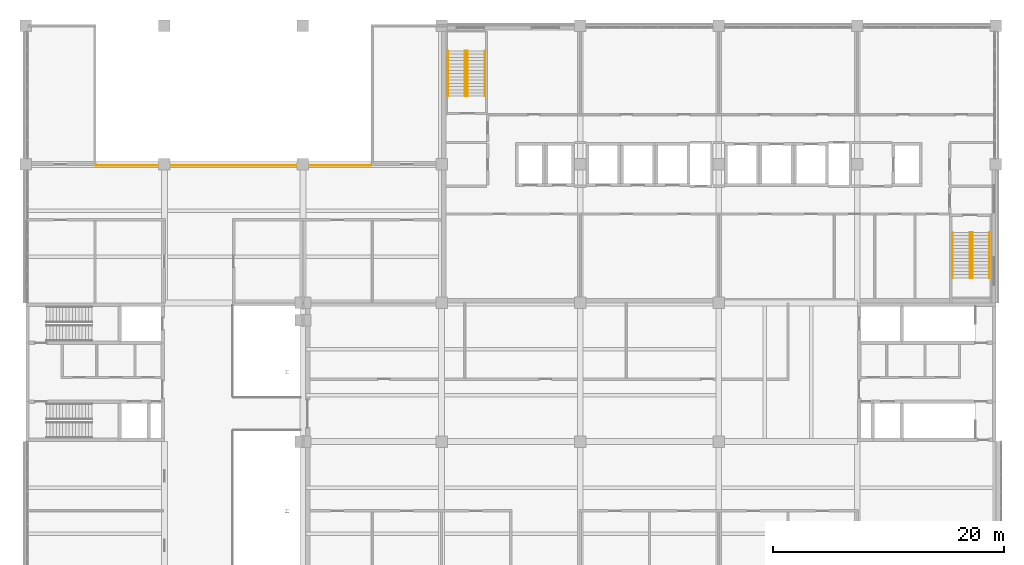
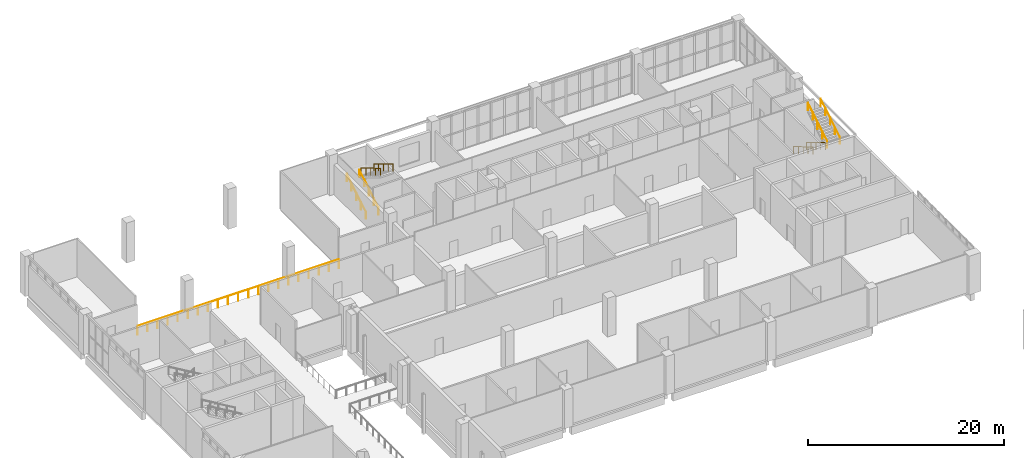
# One storey, part 69 of 69: 9 railings.
"""IFC4 building model written with IfcOpenShell, lengths in metres."""

from ifc_helpers import new_model, si_unit, direction, frame, origin, origin_2d, place, context, subcontext, project, spatial, circle, extrude, material, constituent, constituent_set, type_object, element, save


model = new_model("IFC4")

# Units and contexts
model_context = context("Model", 3, precision=1e-05, world=origin(), true_north=direction((0.0, 1.0)))
body_context = subcontext(model_context, "Body", "Model", "MODEL_VIEW")
ifc_project = project(units=[si_unit("LENGTHUNIT", "METRE"), si_unit("AREAUNIT", "SQUARE_METRE"), si_unit("VOLUMEUNIT", "CUBIC_METRE"), si_unit("PLANEANGLEUNIT", "RADIAN"), si_unit("MASSUNIT", "GRAM", prefix="KILO")], contexts=[model_context])

# Site, building, storey
site_placement = place(None, origin())
site = spatial("IfcSite", under=ifc_project, at=site_placement, CompositionType="ELEMENT")
building_placement = place(site_placement, origin())
building = spatial("IfcBuilding", under=site, at=building_placement, Name="Lilac Gate Convention Centre", CompositionType="ELEMENT")
storey_placement = place(building_placement, frame((0.0, 0.0, 12.0)))
storey = spatial("IfcBuildingStorey", under=building, at=storey_placement, Name="L02", CompositionType="ELEMENT", Elevation=12.0)

# Railings
ifc_material_1 = material(Name="Steel Q235B", Category="steel")
ifc_constituent_1 = constituent(ifc_material_1, Name="Frame")
ifc_material_2 = material(Name="Safety glass, bonded interlayer", Category="glass")
ifc_constituent_2 = constituent(ifc_material_2, Name="Infill")
ifc_constituent_set = constituent_set(constituents=[ifc_constituent_1, ifc_constituent_2], Name="Steel Q235B, Safety glass, bonded interlayer")
railing_type_1 = type_object("IfcRailingType", Name="Guard 1100 steel and glass", PredefinedType="GUARDRAIL", material=ifc_constituent_set)
railing_placement = place(storey_placement, frame((12.10009765625, 233.89990234375, 0.0)))
element("IfcRailing", 1, at=railing_placement, inside=storey, type_object=railing_type_1, Name="Gallery guard L02", PredefinedType="GUARDRAIL", context=body_context, shape_type="SweptSolid", body=[
    extrude(circle(Radius=0.02392578125, at=origin_2d()), frame((0.0, 0.0, 1.076171875), z_axis=(1.0, 0.0, 0.0), x_axis=(0.0, 1.0, 0.0)), (0.0, 0.0, 1.0), 23.7998046875),
    extrude(circle(Radius=0.02099609375, at=origin_2d()), origin(), (0.0, 0.0, 1.0), 1.052001953125),
    extrude(circle(Radius=0.02099609375, at=origin_2d()), frame((1.18994140625, 0.0, 0.0)), (0.0, 0.0, 1.0), 1.052001953125),
    extrude(circle(Radius=0.02099609375, at=origin_2d()), frame((2.3798828125, 0.0, 0.0)), (0.0, 0.0, 1.0), 1.052001953125),
    extrude(circle(Radius=0.02099609375, at=origin_2d()), frame((3.570068359375, 0.0, 0.0)), (0.0, 0.0, 1.0), 1.052001953125),
    extrude(circle(Radius=0.02099609375, at=origin_2d()), frame((4.760009765625, 0.0, 0.0)), (0.0, 0.0, 1.0), 1.052001953125),
    extrude(circle(Radius=0.02099609375, at=origin_2d()), frame((5.949951171875, 0.0, 0.0)), (0.0, 0.0, 1.0), 1.052001953125),
    extrude(circle(Radius=0.02099609375, at=origin_2d()), frame((7.139892578125, 0.0, 0.0)), (0.0, 0.0, 1.0), 1.052001953125),
    extrude(circle(Radius=0.02099609375, at=origin_2d()), frame((8.329833984375, 0.0, 0.0)), (0.0, 0.0, 1.0), 1.052001953125),
    extrude(circle(Radius=0.02099609375, at=origin_2d()), frame((9.52001953125, 0.0, 0.0)), (0.0, 0.0, 1.0), 1.052001953125),
    extrude(circle(Radius=0.02099609375, at=origin_2d()), frame((10.7099609375, 0.0, 0.0)), (0.0, 0.0, 1.0), 1.052001953125),
    extrude(circle(Radius=0.02099609375, at=origin_2d()), frame((11.89990234375, 0.0, 0.0)), (0.0, 0.0, 1.0), 1.052001953125),
    extrude(circle(Radius=0.02099609375, at=origin_2d()), frame((13.08984375, 0.0, 0.0)), (0.0, 0.0, 1.0), 1.052001953125),
    extrude(circle(Radius=0.02099609375, at=origin_2d()), frame((14.27978515625, 0.0, 0.0)), (0.0, 0.0, 1.0), 1.052001953125),
    extrude(circle(Radius=0.02099609375, at=origin_2d()), frame((15.469970703125, 0.0, 0.0)), (0.0, 0.0, 1.0), 1.052001953125),
    extrude(circle(Radius=0.02099609375, at=origin_2d()), frame((16.659912109375, 0.0, 0.0)), (0.0, 0.0, 1.0), 1.052001953125),
    extrude(circle(Radius=0.02099609375, at=origin_2d()), frame((17.849853515625, 0.0, 0.0)), (0.0, 0.0, 1.0), 1.052001953125),
    extrude(circle(Radius=0.02099609375, at=origin_2d()), frame((19.039794921875, 0.0, 0.0)), (0.0, 0.0, 1.0), 1.052001953125),
    extrude(circle(Radius=0.02099609375, at=origin_2d()), frame((20.229736328125, 0.0, 0.0)), (0.0, 0.0, 1.0), 1.052001953125),
    extrude(circle(Radius=0.02099609375, at=origin_2d()), frame((21.419921875, 0.0, 0.0)), (0.0, 0.0, 1.0), 1.052001953125),
    extrude(circle(Radius=0.02099609375, at=origin_2d()), frame((22.60986328125, 0.0, 0.0)), (0.0, 0.0, 1.0), 1.052001953125),
    extrude(circle(Radius=0.02099609375, at=origin_2d()), frame((23.7998046875, 0.0, 0.0)), (0.0, 0.0, 1.0), 1.052001953125),
])
ifc_material_3 = material(Name="Stainless steel 304", Category="steel")
railing_type_2 = type_object("IfcRailingType", Name="Stair handrail", PredefinedType="HANDRAIL", material=ifc_material_3)
for number, where, name in (
    (2, (42.550048828125, 239.89990234375, 0.166748046875), "Handrail NW L02 flight 1"),
    (3, (44.050048828125, 239.89990234375, 0.166748046875), "Handrail NW L02 flight 1"),
):
    element("IfcRailing", number, at=place(storey_placement, frame(where)), inside=storey, type_object=railing_type_2, Name=name, PredefinedType="HANDRAIL", context=body_context, shape_type="SweptSolid", body=[
        extrude(circle(Radius=0.02392578125, at=origin_2d()), frame((0.0, 0.0, 0.8759765625), z_axis=(0.0, 0.859310244771, 0.511454693235), x_axis=(-1.0, 0.0, 0.0)), (0.0, 0.0, 1.0), 4.56201171875),
        extrude(circle(Radius=0.02099609375, at=origin_2d()), origin(), (0.0, 0.0, 1.0), 0.851806640625),
        extrude(circle(Radius=0.02099609375, at=origin_2d()), frame((0.0, 0.97998046875, 0.583251953125)), (0.0, 0.0, 1.0), 0.851806640625),
        extrude(circle(Radius=0.02099609375, at=origin_2d()), frame((0.0, 1.9599609375, 1.16650390625)), (0.0, 0.0, 1.0), 0.851806640625),
        extrude(circle(Radius=0.02099609375, at=origin_2d()), frame((0.0, 2.940185546875, 1.75)), (0.0, 0.0, 1.0), 0.851806640625),
        extrude(circle(Radius=0.02099609375, at=origin_2d()), frame((0.0, 3.920166015625, 2.333251953125)), (0.0, 0.0, 1.0), 0.851806640625),
    ])
for number, where, name in (
    (4, (45.75, 243.820068359375, 2.666748046875), "Handrail NW L02 flight 2"),
    (5, (44.25, 243.820068359375, 2.666748046875), "Handrail NW L02 flight 2"),
    (6, (87.75, 228.10009765625, 0.166748046875), "Handrail SE L02 flight 1"),
    (7, (86.25, 228.10009765625, 0.166748046875), "Handrail SE L02 flight 1"),
):
    element("IfcRailing", number, at=place(storey_placement, frame(where)), inside=storey, type_object=railing_type_2, Name=name, PredefinedType="HANDRAIL", context=body_context, shape_type="SweptSolid", body=[
        extrude(circle(Radius=0.02392578125, at=origin_2d()), frame((0.0, 0.0, 0.8759765625), z_axis=(0.0, -0.859310244771, 0.511454693235), x_axis=(1.0, 0.0, 0.0)), (0.0, 0.0, 1.0), 4.56201171875),
        extrude(circle(Radius=0.02099609375, at=origin_2d()), origin(), (0.0, 0.0, 1.0), 0.851806640625),
        extrude(circle(Radius=0.02099609375, at=origin_2d()), frame((0.0, -0.97998046875, 0.583251953125)), (0.0, 0.0, 1.0), 0.851806640625),
        extrude(circle(Radius=0.02099609375, at=origin_2d()), frame((0.0, -1.9599609375, 1.16650390625)), (0.0, 0.0, 1.0), 0.851806640625),
        extrude(circle(Radius=0.02099609375, at=origin_2d()), frame((0.0, -2.940185546875, 1.75)), (0.0, 0.0, 1.0), 0.851806640625),
        extrude(circle(Radius=0.02099609375, at=origin_2d()), frame((0.0, -3.920166015625, 2.333251953125)), (0.0, 0.0, 1.0), 0.851806640625),
    ])
for number, where, name in (
    (8, (87.949951171875, 224.179931640625, 2.666748046875), "Handrail SE L02 flight 2"),
    (9, (89.449951171875, 224.179931640625, 2.666748046875), "Handrail SE L02 flight 2"),
):
    element("IfcRailing", number, at=place(storey_placement, frame(where)), inside=storey, type_object=railing_type_2, Name=name, PredefinedType="HANDRAIL", context=body_context, shape_type="SweptSolid", body=[
        extrude(circle(Radius=0.02392578125, at=origin_2d()), frame((0.0, 0.0, 0.8759765625), z_axis=(0.0, 0.859310244771, 0.511454693235), x_axis=(-1.0, 0.0, 0.0)), (0.0, 0.0, 1.0), 4.56201171875),
        extrude(circle(Radius=0.02099609375, at=origin_2d()), origin(), (0.0, 0.0, 1.0), 0.851806640625),
        extrude(circle(Radius=0.02099609375, at=origin_2d()), frame((0.0, 0.97998046875, 0.583251953125)), (0.0, 0.0, 1.0), 0.851806640625),
        extrude(circle(Radius=0.02099609375, at=origin_2d()), frame((0.0, 1.9599609375, 1.16650390625)), (0.0, 0.0, 1.0), 0.851806640625),
        extrude(circle(Radius=0.02099609375, at=origin_2d()), frame((0.0, 2.940185546875, 1.75)), (0.0, 0.0, 1.0), 0.851806640625),
        extrude(circle(Radius=0.02099609375, at=origin_2d()), frame((0.0, 3.920166015625, 2.333251953125)), (0.0, 0.0, 1.0), 0.851806640625),
    ])

save(model, "model.ifc")
